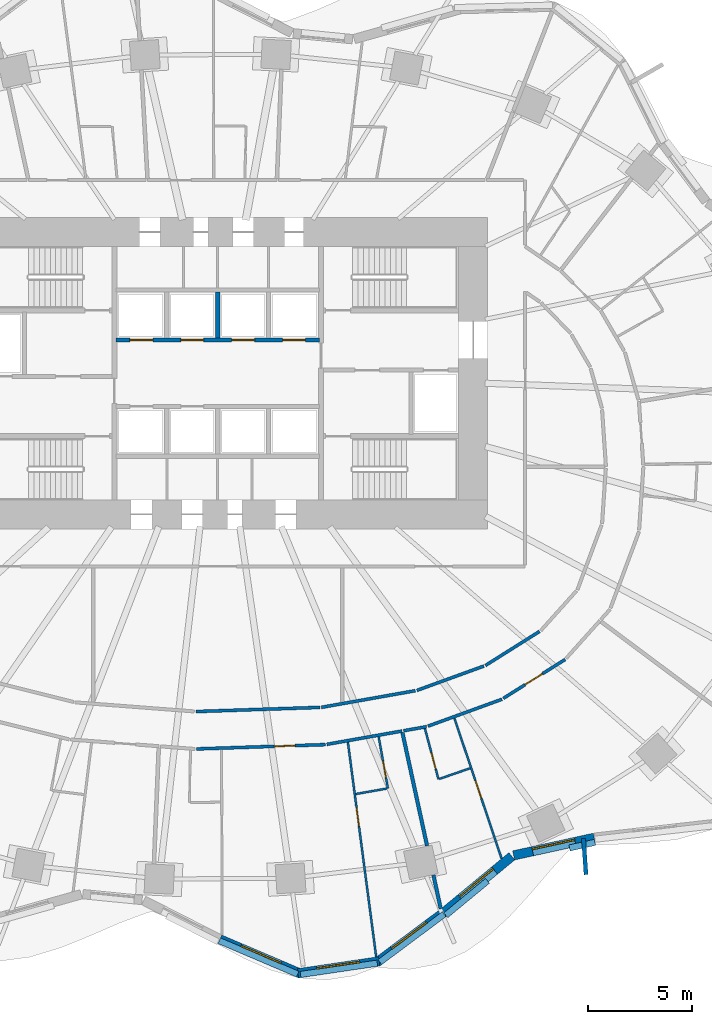
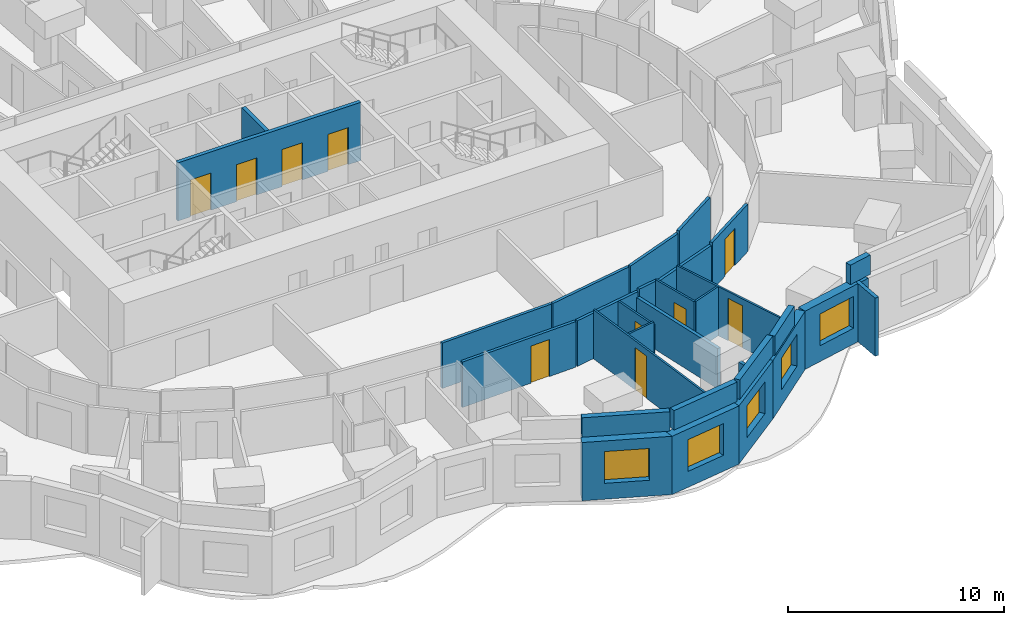
# One storey, part 6 of 12: 30 walls, 10 doors, 5 windows, 15 openings.
"""IFC4 building model written with IfcOpenShell, lengths in metres."""

from ifc_helpers import new_model, si_unit, direction, frame, frame_2d, origin, place, context, subcontext, project, spatial, rectangle, extrude, material, layer, layer_set, type_object, element, fill, save


model = new_model("IFC4")

# Units and contexts
model_context = context("Model", 3, precision=1e-05, world=origin(), true_north=direction((0.0, 1.0)))
body_context = subcontext(model_context, "Body", "Model", "MODEL_VIEW")
ifc_project = project(units=[si_unit("LENGTHUNIT", "METRE"), si_unit("AREAUNIT", "SQUARE_METRE"), si_unit("VOLUMEUNIT", "CUBIC_METRE"), si_unit("PLANEANGLEUNIT", "RADIAN"), si_unit("MASSUNIT", "GRAM", prefix="KILO")], contexts=[model_context])

# Site, building, storey
site_placement = place(None, origin())
site = spatial("IfcSite", under=ifc_project, at=site_placement, CompositionType="ELEMENT")
building_placement = place(site_placement, origin())
building = spatial("IfcBuilding", under=site, at=building_placement, Name="Rubra Terraces Tower", CompositionType="ELEMENT")
storey_placement = place(building_placement, frame((0.0, 0.0, 73.5)))
storey = spatial("IfcBuildingStorey", under=building, at=storey_placement, Name="L16", CompositionType="ELEMENT", Elevation=73.5)

# Walls
ifc_material_1 = material(Name="Twin plasterboard on staggered steel stud, acoustic mineral wool", Category="steel")
ifc_layer_1 = layer(ifc_material_1, 0.175048828125)
ifc_layer_set_1 = layer_set([ifc_layer_1], Name="Twin plasterboard on staggered steel stud, acoustic mineral wool")
wall_type_1 = type_object("IfcWallType", Name="ACOUSTIC PARTY WALL 175 LOW HEAD", PredefinedType="PARTITIONING", material=ifc_layer_set_1)
wall_1_placement = place(storey_placement, frame((10.7412109375, -21.289794921875, 0.0), z_axis=(0.0, 0.0, 1.0), x_axis=(-0.212673207196, 0.977123383683, 0.0)))
element("IfcWall", 1, at=wall_1_placement, inside=storey, type_object=wall_type_1, Name="PARTITION", PredefinedType="PARTITIONING", context=body_context, shape_type="SweptSolid", body=[
    extrude(rectangle(XDim=1.66455078125, YDim=0.175048828125, at=frame_2d((0.832275390625, 0.0))), origin(), (0.0, 0.0, 1.0), 2.280029296875),
])
wall_2_placement = place(storey_placement, frame((10.081298828125, -18.256103515625, 0.0), z_axis=(0.0, 0.0, 1.0), x_axis=(-0.212542235069, 0.977151880882, 0.0)))
element("IfcWall", 2, at=wall_2_placement, inside=storey, type_object=wall_type_1, Name="PARTITION", PredefinedType="PARTITIONING", context=body_context, shape_type="SweptSolid", body=[
    extrude(rectangle(XDim=5.581298828125, YDim=0.175048828125, at=frame_2d((2.79052734375, 0.0))), origin(), (0.0, 0.0, 1.0), 2.280029296875),
])

# Wall, opening, window
ifc_material_2 = material(Name="Brick masonry red-brown", Category="masonry")
ifc_layer_2 = layer(ifc_material_2, 0.449951171875)
ifc_layer_set_2 = layer_set([ifc_layer_2], Name="Brick masonry red-brown")
wall_type_2 = type_object("IfcWallType", Name="Brick facade wall 450", PredefinedType="SOLIDWALL", material=ifc_layer_set_2)
wall_3_placement = place(storey_placement, frame((0.103271484375, -22.7578125, 0.0), z_axis=(0.0, 0.0, 1.0), x_axis=(0.920037498786, -0.391830321475, 0.0)))
wall_3 = element("IfcWall", 3, at=wall_3_placement, inside=storey, type_object=wall_type_2, Name="Facade wall L16 bay 31", PredefinedType="SOLIDWALL", context=body_context, shape_type="SweptSolid", body=[
    extrude(rectangle(XDim=4.219482421875, YDim=0.449951171875, at=frame_2d((2.10986328125, 0.0))), origin(), (0.0, 0.0, 1.0), 3.300048828125),
])
opening_1_placement = place(wall_3_placement, frame((1.059814453125, 0.0, 0.89990234375)))
opening_1 = element("IfcOpeningElement", 4, at=opening_1_placement, cuts=wall_3, Name="Opening W1Z", PredefinedType="OPENING", context=body_context, shape_type="SweptSolid", body=[
    extrude(rectangle(XDim=2.10009765625, YDim=1.800048828125, at=frame_2d((1.050048828125, 0.89990234375))), frame((0.0, 0.23486328125, 0.0), z_axis=(0.0, -1.0, 0.0), x_axis=(1.0, 0.0, 0.0)), (0.0, 0.0, 1.0), 0.469970703125),
])
ifc_material_3 = material(Name="Clear glass in aluminium frame", Category="aluminium")
window_type = type_object("IfcWindowType", Name="Fixed deep-set window under transfer level 2100 x 1800", PartitioningType="SINGLE_PANEL", PredefinedType="WINDOW", material=ifc_material_3)
window_1_placement = place(opening_1_placement, origin())
window_1 = element("IfcWindow", 5, at=window_1_placement, inside=storey, type_object=window_type, Name="Window L16 bay 31", OverallHeight=1.800048828125, OverallWidth=2.10009765625, PartitioningType="SINGLE_PANEL", PredefinedType="WINDOW", context=body_context, shape_type="SweptSolid", body=[
    extrude(rectangle(XDim=2.10009765625, YDim=1.800048828125, at=frame_2d((1.050048828125, 0.89990234375))), frame((0.0, 0.135009765625, 0.0), z_axis=(0.0, -1.0, 0.0), x_axis=(1.0, 0.0, 0.0)), (0.0, 0.0, 1.0), 0.06005859375),
])
fill(opening_1, window_1)

wall_4_placement = place(storey_placement, frame((3.8662109375, -24.396484375, 0.0), z_axis=(0.0, 0.0, 1.0), x_axis=(0.989255112942, 0.146199594798, 0.0)))
wall_4 = element("IfcWall", 6, at=wall_4_placement, inside=storey, type_object=wall_type_2, Name="Facade wall L16 bay 32", PredefinedType="SOLIDWALL", context=body_context, shape_type="SweptSolid", body=[
    extrude(rectangle(XDim=3.954345703125, YDim=0.449951171875, at=frame_2d((1.97705078125, 0.0))), origin(), (0.0, 0.0, 1.0), 3.300048828125),
])
opening_2_placement = place(wall_4_placement, frame((0.92724609375, 0.0, 0.89990234375)))
opening_2 = element("IfcOpeningElement", 7, at=opening_2_placement, cuts=wall_4, Name="Opening W1Z", PredefinedType="OPENING", context=body_context, shape_type="SweptSolid", body=[
    extrude(rectangle(XDim=2.10009765625, YDim=1.800048828125, at=frame_2d((1.050048828125, 0.89990234375))), frame((0.0, 0.23486328125, 0.0), z_axis=(0.0, -1.0, 0.0), x_axis=(1.0, 0.0, 0.0)), (0.0, 0.0, 1.0), 0.469970703125),
])
window_2_placement = place(opening_2_placement, origin())
window_2 = element("IfcWindow", 8, at=window_2_placement, inside=storey, type_object=window_type, Name="Window L16 bay 32", OverallHeight=1.800048828125, OverallWidth=2.10009765625, PartitioningType="SINGLE_PANEL", PredefinedType="WINDOW", context=body_context, shape_type="SweptSolid", body=[
    extrude(rectangle(XDim=2.10009765625, YDim=1.800048828125, at=frame_2d((1.050048828125, 0.89990234375))), frame((0.0, 0.135009765625, 0.0), z_axis=(0.0, -1.0, 0.0), x_axis=(1.0, 0.0, 0.0)), (0.0, 0.0, 1.0), 0.06005859375),
])
fill(opening_2, window_2)

wall_5_placement = place(storey_placement, frame((7.678466796875, -23.859130859375, 0.0), z_axis=(0.0, 0.0, 1.0), x_axis=(0.801665619573, 0.597772728046, 0.0)))
wall_5 = element("IfcWall", 9, at=wall_5_placement, inside=storey, type_object=wall_type_2, Name="Facade wall L16 bay 33", PredefinedType="SOLIDWALL", context=body_context, shape_type="SweptSolid", body=[
    extrude(rectangle(XDim=4.0029296875, YDim=0.449951171875, at=frame_2d((2.00146484375, 0.0))), origin(), (0.0, 0.0, 1.0), 3.300048828125),
])
opening_3_placement = place(wall_5_placement, frame((0.951416015625, 0.0, 0.89990234375)))
opening_3 = element("IfcOpeningElement", 10, at=opening_3_placement, cuts=wall_5, Name="Opening W1Z", PredefinedType="OPENING", context=body_context, shape_type="SweptSolid", body=[
    extrude(rectangle(XDim=2.10009765625, YDim=1.800048828125, at=frame_2d((1.050048828125, 0.89990234375))), frame((0.0, 0.23486328125, 0.0), z_axis=(0.0, -1.0, 0.0), x_axis=(1.0, 0.0, 0.0)), (0.0, 0.0, 1.0), 0.469970703125),
])
window_3_placement = place(opening_3_placement, origin())
window_3 = element("IfcWindow", 11, at=window_3_placement, inside=storey, type_object=window_type, Name="Window L16 bay 33", OverallHeight=1.800048828125, OverallWidth=2.10009765625, PartitioningType="SINGLE_PANEL", PredefinedType="WINDOW", context=body_context, shape_type="SweptSolid", body=[
    extrude(rectangle(XDim=2.10009765625, YDim=1.800048828125, at=frame_2d((1.050048828125, 0.89990234375))), frame((0.0, 0.135009765625, 0.0), z_axis=(0.0, -1.0, 0.0), x_axis=(1.0, 0.0, 0.0)), (0.0, 0.0, 1.0), 0.06005859375),
])
fill(opening_3, window_3)

wall_6_placement = place(storey_placement, frame((10.878662109375, -21.473388671875, 0.0), z_axis=(0.0, 0.0, 1.0), x_axis=(0.77124668946, 0.636536365023, 0.0)))
wall_6 = element("IfcWall", 12, at=wall_6_placement, inside=storey, type_object=wall_type_2, Name="Facade wall L16 bay 34", PredefinedType="SOLIDWALL", context=body_context, shape_type="SweptSolid", body=[
    extrude(rectangle(XDim=4.2607421875, YDim=0.449951171875, at=frame_2d((2.13037109375, 0.0))), origin(), (0.0, 0.0, 1.0), 3.300048828125),
])
opening_4_placement = place(wall_6_placement, frame((1.080322265625, 0.0, 0.89990234375)))
opening_4 = element("IfcOpeningElement", 13, at=opening_4_placement, cuts=wall_6, Name="Opening W1Z", PredefinedType="OPENING", context=body_context, shape_type="SweptSolid", body=[
    extrude(rectangle(XDim=2.10009765625, YDim=1.800048828125, at=frame_2d((1.050048828125, 0.89990234375))), frame((0.0, 0.23486328125, 0.0), z_axis=(0.0, -1.0, 0.0), x_axis=(1.0, 0.0, 0.0)), (0.0, 0.0, 1.0), 0.469970703125),
])
window_4_placement = place(opening_4_placement, origin())
window_4 = element("IfcWindow", 14, at=window_4_placement, inside=storey, type_object=window_type, Name="Window L16 bay 34", OverallHeight=1.800048828125, OverallWidth=2.10009765625, PartitioningType="SINGLE_PANEL", PredefinedType="WINDOW", context=body_context, shape_type="SweptSolid", body=[
    extrude(rectangle(XDim=2.10009765625, YDim=1.800048828125, at=frame_2d((1.050048828125, 0.89990234375))), frame((0.0, 0.135009765625, 0.0), z_axis=(0.0, -1.0, 0.0), x_axis=(1.0, 0.0, 0.0)), (0.0, 0.0, 1.0), 0.06005859375),
])
fill(opening_4, window_4)

wall_7_placement = place(storey_placement, frame((14.250732421875, -18.71826171875, 0.0), z_axis=(0.0, 0.0, 1.0), x_axis=(0.976903627618, 0.213680374267, 0.0)))
wall_7 = element("IfcWall", 15, at=wall_7_placement, inside=storey, type_object=wall_type_2, Name="Facade wall L16 bay 35", PredefinedType="SOLIDWALL", context=body_context, shape_type="SweptSolid", body=[
    extrude(rectangle(XDim=3.970458984375, YDim=0.449951171875, at=frame_2d((1.9853515625, 0.0))), origin(), (0.0, 0.0, 1.0), 3.300048828125),
])
opening_5_placement = place(wall_7_placement, frame((0.93505859375, 0.0, 0.89990234375)))
opening_5 = element("IfcOpeningElement", 16, at=opening_5_placement, cuts=wall_7, Name="Opening W1Z", PredefinedType="OPENING", context=body_context, shape_type="SweptSolid", body=[
    extrude(rectangle(XDim=2.10009765625, YDim=1.800048828125, at=frame_2d((1.050048828125, 0.89990234375))), frame((0.0, 0.23486328125, 0.0), z_axis=(0.0, -1.0, 0.0), x_axis=(1.0, 0.0, 0.0)), (0.0, 0.0, 1.0), 0.469970703125),
])
window_5_placement = place(opening_5_placement, origin())
window_5 = element("IfcWindow", 17, at=window_5_placement, inside=storey, type_object=window_type, Name="Window L16 bay 35", OverallHeight=1.800048828125, OverallWidth=2.10009765625, PartitioningType="SINGLE_PANEL", PredefinedType="WINDOW", context=body_context, shape_type="SweptSolid", body=[
    extrude(rectangle(XDim=2.10009765625, YDim=1.800048828125, at=frame_2d((1.050048828125, 0.89990234375))), frame((0.0, 0.135009765625, 0.0), z_axis=(0.0, -1.0, 0.0), x_axis=(1.0, 0.0, 0.0)), (0.0, 0.0, 1.0), 0.06005859375),
])
fill(opening_5, window_5)

# Walls
ifc_layer_3 = layer(ifc_material_2, 0.300048828125)
ifc_layer_set_3 = layer_set([ifc_layer_3], Name="Brick masonry red-brown")
wall_type_3 = type_object("IfcWallType", Name="Brick parapet 300", PredefinedType="PARAPET", material=ifc_layer_set_3)
wall_8_placement = place(storey_placement, frame((0.07470703125, -22.8271484375, 3.60009765625), z_axis=(0.0, 0.0, 1.0), x_axis=(0.920031521407, -0.391844356367, 0.0)))
element("IfcWall", 18, at=wall_8_placement, inside=storey, type_object=wall_type_3, Name="Parapet L16 bay 31", PredefinedType="PARAPET", context=body_context, shape_type="SweptSolid", body=[
    extrude(rectangle(XDim=4.10595703125, YDim=0.300048828125, at=frame_2d((2.052978515625, 0.0))), origin(), (0.0, 0.0, 1.0), 1.099853515625),
])
wall_9_placement = place(storey_placement, frame((3.990234375, -24.453857421875, 3.60009765625), z_axis=(0.0, 0.0, 1.0), x_axis=(0.989258150551, 0.146179039429, 0.0)))
element("IfcWall", 19, at=wall_9_placement, inside=storey, type_object=wall_type_3, Name="Parapet L16 bay 32", PredefinedType="PARAPET", context=body_context, shape_type="SweptSolid", body=[
    extrude(rectangle(XDim=3.734375, YDim=0.300048828125, at=frame_2d((1.8671875, 0.0))), origin(), (0.0, 0.0, 1.0), 1.099853515625),
])
wall_10_placement = place(storey_placement, frame((7.80615234375, -23.857666015625, 3.60009765625), z_axis=(0.0, 0.0, 1.0), x_axis=(0.801649538596, 0.597794293439, 0.0)))
element("IfcWall", 20, at=wall_10_placement, inside=storey, type_object=wall_type_3, Name="Parapet L16 bay 33", PredefinedType="PARAPET", context=body_context, shape_type="SweptSolid", body=[
    extrude(rectangle(XDim=3.86474609375, YDim=0.300048828125, at=frame_2d((1.932373046875, 0.0))), origin(), (0.0, 0.0, 1.0), 1.099853515625),
])
wall_11_placement = place(storey_placement, frame((10.981689453125, -21.60107421875, 3.60009765625), z_axis=(0.0, 0.0, 1.0), x_axis=(0.771288080572, 0.63648621098, 0.0)))
element("IfcWall", 21, at=wall_11_placement, inside=storey, type_object=wall_type_3, Name="Parapet L16 bay 34", PredefinedType="PARAPET", context=body_context, shape_type="SweptSolid", body=[
    extrude(rectangle(XDim=2.6025390625, YDim=0.300048828125, at=frame_2d((1.30126953125, 0.0))), origin(), (0.0, 0.0, 1.0), 1.099853515625),
])
wall_12_placement = place(storey_placement, frame((16.942626953125, -18.359619140625, 3.60009765625), z_axis=(0.0, 0.0, 1.0), x_axis=(0.976910180777, 0.213650412343, 0.0)))
element("IfcWall", 22, at=wall_12_placement, inside=storey, type_object=wall_type_3, Name="Parapet L16 bay 35", PredefinedType="PARAPET", context=body_context, shape_type="SweptSolid", body=[
    extrude(rectangle(XDim=1.253662109375, YDim=0.300048828125, at=frame_2d((0.626953125, 0.0))), origin(), (0.0, 0.0, 1.0), 1.099853515625),
])
ifc_layer_4 = layer(ifc_material_2, 0.199951171875)
ifc_layer_set_4 = layer_set([ifc_layer_4], Name="Brick masonry red-brown")
wall_type_4 = type_object("IfcWallType", Name="Brick wind fin 200", PredefinedType="SOLIDWALL", material=ifc_layer_set_4)
wall_13_placement = place(storey_placement, frame((17.614013671875, -17.90087890625, 0.0), z_axis=(0.0, 0.0, 1.0), x_axis=(0.069750000204, -0.997564502913, 0.0)))
element("IfcWall", 23, at=wall_13_placement, inside=storey, type_object=wall_type_4, Name="Wind fin L16 21", PredefinedType="SOLIDWALL", context=body_context, shape_type="SweptSolid", body=[
    extrude(rectangle(XDim=1.75, YDim=0.199951171875, at=frame_2d((0.875, 0.0))), origin(), (0.0, 0.0, 1.0), 3.300048828125),
])
ifc_material_4 = material(Name="Plasterboard on steel stud, mineral wool infill", Category="steel")
ifc_layer_5 = layer(ifc_material_4, 0.14990234375)
ifc_layer_set_5 = layer_set([ifc_layer_5], Name="Plasterboard on steel stud, mineral wool infill")
wall_type_5 = type_object("IfcWallType", Name="CORRIDOR PARTITION 150", PredefinedType="PARTITIONING", material=ifc_layer_set_5)
wall_14_placement = place(storey_placement, frame((8.953125, -12.7158203125, 0.0), z_axis=(0.0, 0.0, 1.0), x_axis=(0.984678178819, 0.17438143295, 0.0)))
element("IfcWall", 24, at=wall_14_placement, inside=storey, type_object=wall_type_5, Name="PARTITION", PredefinedType="PARTITIONING", context=body_context, shape_type="SweptSolid", body=[
    extrude(rectangle(XDim=1.121337890625, YDim=0.14990234375, at=frame_2d((0.560546875, 0.0))), origin(), (0.0, 0.0, 1.0), 2.68408203125),
])

# Wall, opening, door
wall_15_placement = place(storey_placement, frame((13.750732421875, -11.1591796875, 0.0), z_axis=(0.0, 0.0, 1.0), x_axis=(0.846413381026, 0.532526420396, 0.0)))
wall_15 = element("IfcWall", 25, at=wall_15_placement, inside=storey, type_object=wall_type_5, Name="PARTITION", PredefinedType="PARTITIONING", context=body_context, shape_type="SweptSolid", body=[
    extrude(rectangle(XDim=3.52197265625, YDim=0.14990234375, at=frame_2d((1.760986328125, 0.0))), origin(), (0.0, 0.0, 1.0), 2.68408203125),
])
opening_6_placement = place(wall_15_placement, frame((1.2451171875, 0.0, 0.0)))
opening_6 = element("IfcOpeningElement", 26, at=opening_6_placement, cuts=wall_15, Name="Opening 16-127", PredefinedType="OPENING", context=body_context, shape_type="SweptSolid", body=[
    extrude(rectangle(XDim=1.0, YDim=2.10009765625, at=frame_2d((0.5, 1.050048828125))), frame((0.0, 0.0849609375, 0.0), z_axis=(0.0, -1.0, 0.0), x_axis=(1.0, 0.0, 0.0)), (0.0, 0.0, 1.0), 0.169921875),
])
ifc_material_5 = material(Name="Painted timber door leaf", Category="wood")
door_type_1 = type_object("IfcDoorType", Name="ROOM DOOR 1000 X 2100", OperationType="SINGLE_SWING_LEFT", PredefinedType="DOOR", material=ifc_material_5)
door_1_placement = place(opening_6_placement, origin())
door_1 = element("IfcDoor", 27, at=door_1_placement, inside=storey, type_object=door_type_1, Name="DOOR 16-127", OperationType="SINGLE_SWING_RIGHT", OverallHeight=2.10009765625, OverallWidth=1.0, PredefinedType="DOOR", context=body_context, shape_type="SweptSolid", body=[
    extrude(rectangle(XDim=1.0, YDim=2.10009765625, at=frame_2d((0.5, 1.050048828125))), frame((0.0, 0.02490234375, 0.0), z_axis=(0.0, -1.0, 0.0), x_axis=(1.0, 0.0, 0.0)), (0.0, 0.0, 1.0), 0.050048828125),
])
fill(opening_6, door_1)

# Wall
wall_16_placement = place(storey_placement, frame((15.495849609375, -7.934326171875, 0.0), z_axis=(0.0, 0.0, 1.0), x_axis=(-0.846358667139, -0.532613374371, 0.0)))
element("IfcWall", 28, at=wall_16_placement, inside=storey, type_object=wall_type_5, Name="PARTITION", PredefinedType="PARTITIONING", context=body_context, shape_type="SweptSolid", body=[
    extrude(rectangle(XDim=3.07763671875, YDim=0.14990234375, at=frame_2d((1.538818359375, 0.0))), origin(), (0.0, 0.0, 1.0), 2.68408203125),
])

# Wall, opening, door
ifc_layer_6 = layer(ifc_material_4, 0.14990234375)
ifc_layer_set_6 = layer_set([ifc_layer_6], Name="Plasterboard on steel stud, mineral wool infill")
wall_type_6 = type_object("IfcWallType", Name="CORRIDOR PARTITION 150 LOW HEAD", PredefinedType="PARTITIONING", material=ifc_layer_set_6)
wall_17_placement = place(storey_placement, frame((-1.015625, -13.592041015625, 0.0), z_axis=(0.0, 0.0, 1.0), x_axis=(0.999437056395, 0.033549520194, 0.0)))
wall_17 = element("IfcWall", 29, at=wall_17_placement, inside=storey, type_object=wall_type_6, Name="PARTITION", PredefinedType="PARTITIONING", context=body_context, shape_type="SweptSolid", body=[
    extrude(rectangle(XDim=6.199951171875, YDim=0.14990234375, at=frame_2d((3.10009765625, 0.0))), origin(), (0.0, 0.0, 1.0), 2.580078125),
])
opening_7_placement = place(wall_17_placement, frame((3.75, 0.0, 0.0)))
opening_7 = element("IfcOpeningElement", 30, at=opening_7_placement, cuts=wall_17, Name="Opening 16-124", PredefinedType="OPENING", context=body_context, shape_type="SweptSolid", body=[
    extrude(rectangle(XDim=1.0, YDim=2.10009765625, at=frame_2d((0.5, 1.050048828125))), frame((0.0, 0.0849609375, 0.0), z_axis=(0.0, -1.0, 0.0), x_axis=(1.0, 0.0, 0.0)), (0.0, 0.0, 1.0), 0.169921875),
])
door_2_placement = place(opening_7_placement, origin())
door_2 = element("IfcDoor", 31, at=door_2_placement, inside=storey, type_object=door_type_1, Name="DOOR 16-124", OperationType="SINGLE_SWING_RIGHT", OverallHeight=2.10009765625, OverallWidth=1.0, PredefinedType="DOOR", context=body_context, shape_type="SweptSolid", body=[
    extrude(rectangle(XDim=1.0, YDim=2.10009765625, at=frame_2d((0.5, 1.050048828125))), frame((0.0, 0.02490234375, 0.0), z_axis=(0.0, -1.0, 0.0), x_axis=(1.0, 0.0, 0.0)), (0.0, 0.0, 1.0), 0.050048828125),
])
fill(opening_7, door_2)

# Walls
wall_18_placement = place(storey_placement, frame((5.2548828125, -13.370849609375, 0.0), z_axis=(0.0, 0.0, 1.0), x_axis=(0.984677871603, 0.174383167696, 0.0)))
element("IfcWall", 32, at=wall_18_placement, inside=storey, type_object=wall_type_6, Name="PARTITION", PredefinedType="PARTITIONING", context=body_context, shape_type="SweptSolid", body=[
    extrude(rectangle(XDim=3.6806640625, YDim=0.14990234375, at=frame_2d((1.84033203125, 0.0))), origin(), (0.0, 0.0, 1.0), 2.580078125),
])
wall_19_placement = place(storey_placement, frame((10.1279296875, -12.494384765625, 0.0), z_axis=(0.0, 0.0, 1.0), x_axis=(0.939720005412, 0.341944895309, 0.0)))
element("IfcWall", 33, at=wall_19_placement, inside=storey, type_object=wall_type_6, Name="PARTITION", PredefinedType="PARTITIONING", context=body_context, shape_type="SweptSolid", body=[
    extrude(rectangle(XDim=3.78759765625, YDim=0.14990234375, at=frame_2d((1.893798828125, 0.0))), origin(), (0.0, 0.0, 1.0), 2.580078125),
])
wall_20_placement = place(storey_placement, frame((12.82080078125, -9.59912109375, 0.0), z_axis=(0.0, 0.0, 1.0), x_axis=(-0.939712560326, -0.341965354921, 0.0)))
element("IfcWall", 34, at=wall_20_placement, inside=storey, type_object=wall_type_6, Name="PARTITION", PredefinedType="PARTITIONING", context=body_context, shape_type="SweptSolid", body=[
    extrude(rectangle(XDim=3.43896484375, YDim=0.14990234375, at=frame_2d((1.719482421875, 0.0))), origin(), (0.0, 0.0, 1.0), 2.580078125),
])
wall_21_placement = place(storey_placement, frame((9.51513671875, -10.7880859375, 0.0), z_axis=(0.0, 0.0, 1.0), x_axis=(-0.984662912103, -0.174467617423, 0.0)))
element("IfcWall", 35, at=wall_21_placement, inside=storey, type_object=wall_type_6, Name="PARTITION", PredefinedType="PARTITIONING", context=body_context, shape_type="SweptSolid", body=[
    extrude(rectangle(XDim=4.5927734375, YDim=0.14990234375, at=frame_2d((2.29638671875, 0.0))), origin(), (0.0, 0.0, 1.0), 2.580078125),
])
wall_22_placement = place(storey_placement, frame((4.917724609375, -11.591796875, 0.0), z_axis=(0.0, 0.0, 1.0), x_axis=(-0.999436848763, -0.033555704937, 0.0)))
element("IfcWall", 36, at=wall_22_placement, inside=storey, type_object=wall_type_6, Name="PARTITION", PredefinedType="PARTITIONING", context=body_context, shape_type="SweptSolid", body=[
    extrude(rectangle(XDim=5.973388671875, YDim=0.14990234375, at=frame_2d((2.98681640625, 0.0))), origin(), (0.0, 0.0, 1.0), 2.580078125),
])

# Wall, openings, doors
ifc_material_6 = material(Name="Concrete C30", Category="concrete")
ifc_layer_7 = layer(ifc_material_6, 0.199951171875)
ifc_layer_set_7 = layer_set([ifc_layer_7], Name="Concrete C30")
wall_type_7 = type_object("IfcWallType", Name="Core wall 200 concrete", PredefinedType="SOLIDWALL", material=ifc_layer_set_7)
wall_23_placement = place(storey_placement, frame((-4.89990234375, 6.10009765625, 0.0), z_axis=(0.0, 0.0, 1.0), x_axis=(1.0, 0.0, 0.0)))
wall_23 = element("IfcWall", 37, at=wall_23_placement, inside=storey, type_object=wall_type_7, Name="LIFT SHAFT WALL L16", PredefinedType="SOLIDWALL", context=body_context, shape_type="SweptSolid", body=[
    extrude(rectangle(XDim=9.7998046875, YDim=0.199951171875, at=frame_2d((4.89990234375, 0.0))), origin(), (0.0, 0.0, 1.0), 3.300048828125),
])
opening_8_placement = place(wall_23_placement, frame((0.675048828125, 0.0, 0.0)))
opening_8 = element("IfcOpeningElement", 38, at=opening_8_placement, cuts=wall_23, Name="Opening L16.C15", PredefinedType="OPENING", context=body_context, shape_type="SweptSolid", body=[
    extrude(rectangle(XDim=1.10009765625, YDim=2.10009765625, at=frame_2d((0.550048828125, 1.050048828125))), frame((0.0, 0.10986328125, 0.0), z_axis=(0.0, -1.0, 0.0), x_axis=(1.0, 0.0, 0.0)), (0.0, 0.0, 1.0), 0.219970703125),
])
opening_9_placement = place(wall_23_placement, frame((3.125, 0.0, 0.0)))
opening_9 = element("IfcOpeningElement", 39, at=opening_9_placement, cuts=wall_23, Name="Opening L16.C16", PredefinedType="OPENING", context=body_context, shape_type="SweptSolid", body=[
    extrude(rectangle(XDim=1.10009765625, YDim=2.10009765625, at=frame_2d((0.550048828125, 1.050048828125))), frame((0.0, 0.10986328125, 0.0), z_axis=(0.0, -1.0, 0.0), x_axis=(1.0, 0.0, 0.0)), (0.0, 0.0, 1.0), 0.219970703125),
])
opening_10_placement = place(wall_23_placement, frame((5.574951171875, 0.0, 0.0)))
opening_10 = element("IfcOpeningElement", 40, at=opening_10_placement, cuts=wall_23, Name="Opening L16.C17", PredefinedType="OPENING", context=body_context, shape_type="SweptSolid", body=[
    extrude(rectangle(XDim=1.10009765625, YDim=2.10009765625, at=frame_2d((0.550048828125, 1.050048828125))), frame((0.0, 0.10986328125, 0.0), z_axis=(0.0, -1.0, 0.0), x_axis=(1.0, 0.0, 0.0)), (0.0, 0.0, 1.0), 0.219970703125),
])
opening_11_placement = place(wall_23_placement, frame((8.02490234375, 0.0, 0.0)))
opening_11 = element("IfcOpeningElement", 41, at=opening_11_placement, cuts=wall_23, Name="Opening L16.C18", PredefinedType="OPENING", context=body_context, shape_type="SweptSolid", body=[
    extrude(rectangle(XDim=1.10009765625, YDim=2.10009765625, at=frame_2d((0.550048828125, 1.050048828125))), frame((0.0, 0.10986328125, 0.0), z_axis=(0.0, -1.0, 0.0), x_axis=(1.0, 0.0, 0.0)), (0.0, 0.0, 1.0), 0.219970703125),
])
ifc_material_7 = material(Name="Stainless steel", Category="steel")
door_type_2 = type_object("IfcDoorType", Name="Lift landing door 1100x2100", OperationType="NOTDEFINED", PredefinedType="DOOR", material=ifc_material_7)
door_3_placement = place(opening_8_placement, origin())
door_3 = element("IfcDoor", 42, at=door_3_placement, inside=storey, type_object=door_type_2, Name="Landing door LB3", OperationType="SLIDING_TO_RIGHT", OverallHeight=2.10009765625, OverallWidth=1.10009765625, PredefinedType="DOOR", context=body_context, shape_type="SweptSolid", body=[
    extrude(rectangle(XDim=1.10009765625, YDim=2.10009765625, at=frame_2d((0.550048828125, 1.050048828125))), frame((0.0, 0.02490234375, 0.0), z_axis=(0.0, -1.0, 0.0), x_axis=(1.0, 0.0, 0.0)), (0.0, 0.0, 1.0), 0.050048828125),
])
fill(opening_8, door_3)
door_4_placement = place(opening_9_placement, origin())
door_4 = element("IfcDoor", 43, at=door_4_placement, inside=storey, type_object=door_type_2, Name="Landing door LB4", OperationType="SLIDING_TO_LEFT", OverallHeight=2.10009765625, OverallWidth=1.10009765625, PredefinedType="DOOR", context=body_context, shape_type="SweptSolid", body=[
    extrude(rectangle(XDim=1.10009765625, YDim=2.10009765625, at=frame_2d((0.550048828125, 1.050048828125))), frame((0.0, 0.02490234375, 0.0), z_axis=(0.0, -1.0, 0.0), x_axis=(1.0, 0.0, 0.0)), (0.0, 0.0, 1.0), 0.050048828125),
])
fill(opening_9, door_4)
door_5_placement = place(opening_10_placement, origin())
door_5 = element("IfcDoor", 44, at=door_5_placement, inside=storey, type_object=door_type_2, Name="Landing door LB5", OperationType="SLIDING_TO_RIGHT", OverallHeight=2.10009765625, OverallWidth=1.10009765625, PredefinedType="DOOR", context=body_context, shape_type="SweptSolid", body=[
    extrude(rectangle(XDim=1.10009765625, YDim=2.10009765625, at=frame_2d((0.550048828125, 1.050048828125))), frame((0.0, 0.02490234375, 0.0), z_axis=(0.0, -1.0, 0.0), x_axis=(1.0, 0.0, 0.0)), (0.0, 0.0, 1.0), 0.050048828125),
])
fill(opening_10, door_5)
door_6_placement = place(opening_11_placement, origin())
door_6 = element("IfcDoor", 45, at=door_6_placement, inside=storey, type_object=door_type_2, Name="Landing door LB6", OperationType="SLIDING_TO_LEFT", OverallHeight=2.10009765625, OverallWidth=1.10009765625, PredefinedType="DOOR", context=body_context, shape_type="SweptSolid", body=[
    extrude(rectangle(XDim=1.10009765625, YDim=2.10009765625, at=frame_2d((0.550048828125, 1.050048828125))), frame((0.0, 0.02490234375, 0.0), z_axis=(0.0, -1.0, 0.0), x_axis=(1.0, 0.0, 0.0)), (0.0, 0.0, 1.0), 0.050048828125),
])
fill(opening_11, door_6)

# Wall
wall_24_placement = place(storey_placement, frame((0.0, 6.199951171875, 0.0), z_axis=(0.0, 0.0, 1.0), x_axis=(0.0, 1.0, 0.0)))
element("IfcWall", 46, at=wall_24_placement, inside=storey, type_object=wall_type_7, Name="LIFT SHAFT WALL L16", PredefinedType="SOLIDWALL", context=body_context, shape_type="SweptSolid", body=[
    extrude(rectangle(XDim=2.199951171875, YDim=0.199951171875, at=frame_2d((1.10009765625, 0.0))), origin(), (0.0, 0.0, 1.0), 3.300048828125),
])

# Wall, opening, door
ifc_material_8 = material(Name="Plasterboard on steel stud", Category="steel")
ifc_layer_8 = layer(ifc_material_8, 0.10009765625)
ifc_layer_set_8 = layer_set([ifc_layer_8], Name="Plasterboard on steel stud")
wall_type_8 = type_object("IfcWallType", Name="ROOM PARTITION 100", PredefinedType="PARTITIONING", material=ifc_layer_set_8)
wall_25_placement = place(storey_placement, frame((7.632568359375, -23.60791015625, 0.0), z_axis=(0.0, 0.0, 1.0), x_axis=(-0.13070700248, 0.991421040478, 0.0)))
wall_25 = element("IfcWall", 47, at=wall_25_placement, inside=storey, type_object=wall_type_8, Name="PARTITION", PredefinedType="PARTITIONING", context=body_context, shape_type="SweptSolid", body=[
    extrude(rectangle(XDim=10.43017578125, YDim=0.10009765625, at=frame_2d((5.215087890625, 0.0))), origin(), (0.0, 0.0, 1.0), 2.783935546875),
])
opening_12_placement = place(wall_25_placement, frame((6.35498046875, 0.0, 0.0)))
opening_12 = element("IfcOpeningElement", 48, at=opening_12_placement, cuts=wall_25, Name="Opening 16-123", PredefinedType="OPENING", context=body_context, shape_type="SweptSolid", body=[
    extrude(rectangle(XDim=0.89990234375, YDim=2.39990234375, at=frame_2d((0.449951171875, 1.199951171875))), frame((0.0, 0.06005859375, 0.0), z_axis=(0.0, -1.0, 0.0), x_axis=(1.0, 0.0, 0.0)), (0.0, 0.0, 1.0), 0.1201171875),
])
ifc_material_9 = material(Name="Veneered timber door leaf, fire-rated", Category="wood")
door_type_3 = type_object("IfcDoorType", Name="SUITE ENTRANCE DOOR 900 X 2400", OperationType="SINGLE_SWING_LEFT", PredefinedType="DOOR", material=ifc_material_9)
door_7_placement = place(opening_12_placement, origin())
door_7 = element("IfcDoor", 49, at=door_7_placement, inside=storey, type_object=door_type_3, Name="DOOR 16-123", OperationType="SINGLE_SWING_LEFT", OverallHeight=2.39990234375, OverallWidth=0.89990234375, PredefinedType="DOOR", context=body_context, shape_type="SweptSolid", body=[
    extrude(rectangle(XDim=0.89990234375, YDim=2.39990234375, at=frame_2d((0.449951171875, 1.199951171875))), frame((0.0, 0.02490234375, 0.0), z_axis=(0.0, -1.0, 0.0), x_axis=(1.0, 0.0, 0.0)), (0.0, 0.0, 1.0), 0.050048828125),
])
fill(opening_12, door_7)

# Wall
wall_26_placement = place(storey_placement, frame((8.1474609375, -15.498779296875, 0.0), z_axis=(0.0, 0.0, 1.0), x_axis=(-0.984907650176, -0.173080676635, 0.0)))
element("IfcWall", 50, at=wall_26_placement, inside=storey, type_object=wall_type_8, Name="PARTITION", PredefinedType="PARTITIONING", context=body_context, shape_type="SweptSolid", body=[
    extrude(rectangle(XDim=1.52197265625, YDim=0.10009765625, at=frame_2d((0.760986328125, 0.0))), origin(), (0.0, 0.0, 1.0), 2.783935546875),
])

# Wall, opening, door
wall_27_placement = place(storey_placement, frame((13.6728515625, -18.875732421875, 0.0), z_axis=(0.0, 0.0, 1.0), x_axis=(-0.318864359282, 0.947800358926, 0.0)))
wall_27 = element("IfcWall", 51, at=wall_27_placement, inside=storey, type_object=wall_type_8, Name="PARTITION", PredefinedType="PARTITIONING", context=body_context, shape_type="SweptSolid", body=[
    extrude(rectangle(XDim=7.135986328125, YDim=0.10009765625, at=frame_2d((3.56787109375, 0.0))), origin(), (0.0, 0.0, 1.0), 2.783935546875),
])
opening_13_placement = place(wall_27_placement, frame((3.06103515625, 0.0, 0.0)))
opening_13 = element("IfcOpeningElement", 52, at=opening_13_placement, cuts=wall_27, Name="Opening 16-126", PredefinedType="OPENING", context=body_context, shape_type="SweptSolid", body=[
    extrude(rectangle(XDim=0.89990234375, YDim=2.39990234375, at=frame_2d((0.449951171875, 1.199951171875))), frame((0.0, 0.06005859375, 0.0), z_axis=(0.0, -1.0, 0.0), x_axis=(1.0, 0.0, 0.0)), (0.0, 0.0, 1.0), 0.1201171875),
])
door_8_placement = place(opening_13_placement, origin())
door_8 = element("IfcDoor", 53, at=door_8_placement, inside=storey, type_object=door_type_3, Name="DOOR 16-126", OperationType="SINGLE_SWING_LEFT", OverallHeight=2.39990234375, OverallWidth=0.89990234375, PredefinedType="DOOR", context=body_context, shape_type="SweptSolid", body=[
    extrude(rectangle(XDim=0.89990234375, YDim=2.39990234375, at=frame_2d((0.449951171875, 1.199951171875))), frame((0.0, 0.02490234375, 0.0), z_axis=(0.0, -1.0, 0.0), x_axis=(1.0, 0.0, 0.0)), (0.0, 0.0, 1.0), 0.050048828125),
])
fill(opening_13, door_8)

wall_28_placement = place(storey_placement, frame((9.978759765625, -12.610107421875, 0.0), z_axis=(0.0, 0.0, 1.0), x_axis=(0.257885322866, -0.966175532836, 0.0)))
wall_28 = element("IfcWall", 54, at=wall_28_placement, inside=storey, type_object=wall_type_8, Name="PARTITION", PredefinedType="PARTITIONING", context=body_context, shape_type="SweptSolid", body=[
    extrude(rectangle(XDim=2.52490234375, YDim=0.10009765625, at=frame_2d((1.262451171875, 0.0))), origin(), (0.0, 0.0, 1.0), 2.783935546875),
])
opening_14_placement = place(wall_28_placement, frame((1.199951171875, 0.0, 0.0)))
opening_14 = element("IfcOpeningElement", 55, at=opening_14_placement, cuts=wall_28, Name="Opening 16-125", PredefinedType="OPENING", context=body_context, shape_type="SweptSolid", body=[
    extrude(rectangle(XDim=0.800048828125, YDim=2.10009765625, at=frame_2d((0.39990234375, 1.050048828125))), frame((0.0, 0.06005859375, 0.0), z_axis=(0.0, -1.0, 0.0), x_axis=(1.0, 0.0, 0.0)), (0.0, 0.0, 1.0), 0.1201171875),
])
door_type_4 = type_object("IfcDoorType", Name="BATHROOM DOOR 800 X 2100", OperationType="SINGLE_SWING_LEFT", PredefinedType="DOOR", material=ifc_material_5)
door_9_placement = place(opening_14_placement, origin())
door_9 = element("IfcDoor", 56, at=door_9_placement, inside=storey, type_object=door_type_4, Name="DOOR 16-125", OperationType="SINGLE_SWING_LEFT", OverallHeight=2.10009765625, OverallWidth=0.800048828125, PredefinedType="DOOR", context=body_context, shape_type="SweptSolid", body=[
    extrude(rectangle(XDim=0.800048828125, YDim=2.10009765625, at=frame_2d((0.39990234375, 1.050048828125))), frame((0.0, 0.02490234375, 0.0), z_axis=(0.0, -1.0, 0.0), x_axis=(1.0, 0.0, 0.0)), (0.0, 0.0, 1.0), 0.050048828125),
])
fill(opening_14, door_9)

# Wall
wall_29_placement = place(storey_placement, frame((10.67724609375, -15.033203125, 0.0), z_axis=(0.0, 0.0, 1.0), x_axis=(0.945015763174, 0.327024780946, 0.0)))
element("IfcWall", 57, at=wall_29_placement, inside=storey, type_object=wall_type_8, Name="PARTITION", PredefinedType="PARTITIONING", context=body_context, shape_type="SweptSolid", body=[
    extrude(rectangle(XDim=1.56396484375, YDim=0.10009765625, at=frame_2d((0.781982421875, 0.0))), origin(), (0.0, 0.0, 1.0), 2.783935546875),
])

# Wall, opening, door
ifc_layer_9 = layer(ifc_material_8, 0.10009765625)
ifc_layer_set_9 = layer_set([ifc_layer_9], Name="Plasterboard on steel stud")
wall_type_9 = type_object("IfcWallType", Name="ROOM PARTITION 100 LOW HEAD", PredefinedType="PARTITIONING", material=ifc_layer_set_9)
wall_30_placement = place(storey_placement, frame((7.749755859375, -13.005126953125, 0.0), z_axis=(0.0, 0.0, 1.0), x_axis=(0.176945076227, -0.984220727276, 0.0)))
wall_30 = element("IfcWall", 58, at=wall_30_placement, inside=storey, type_object=wall_type_9, Name="PARTITION", PredefinedType="PARTITIONING", context=body_context, shape_type="SweptSolid", body=[
    extrude(rectangle(XDim=2.52490234375, YDim=0.10009765625, at=frame_2d((1.262451171875, 0.0))), origin(), (0.0, 0.0, 1.0), 2.580078125),
])
opening_15_placement = place(wall_30_placement, frame((1.199951171875, 0.0, 0.0)))
opening_15 = element("IfcOpeningElement", 59, at=opening_15_placement, cuts=wall_30, Name="Opening 16-121", PredefinedType="OPENING", context=body_context, shape_type="SweptSolid", body=[
    extrude(rectangle(XDim=0.800048828125, YDim=2.10009765625, at=frame_2d((0.39990234375, 1.050048828125))), frame((0.0, 0.06005859375, 0.0), z_axis=(0.0, -1.0, 0.0), x_axis=(1.0, 0.0, 0.0)), (0.0, 0.0, 1.0), 0.1201171875),
])
door_10_placement = place(opening_15_placement, origin())
door_10 = element("IfcDoor", 60, at=door_10_placement, inside=storey, type_object=door_type_4, Name="DOOR 16-121", OperationType="SINGLE_SWING_RIGHT", OverallHeight=2.10009765625, OverallWidth=0.800048828125, PredefinedType="DOOR", context=body_context, shape_type="SweptSolid", body=[
    extrude(rectangle(XDim=0.800048828125, YDim=2.10009765625, at=frame_2d((0.39990234375, 1.050048828125))), frame((0.0, 0.02490234375, 0.0), z_axis=(0.0, -1.0, 0.0), x_axis=(1.0, 0.0, 0.0)), (0.0, 0.0, 1.0), 0.050048828125),
])
fill(opening_15, door_10)

save(model, "model.ifc")
